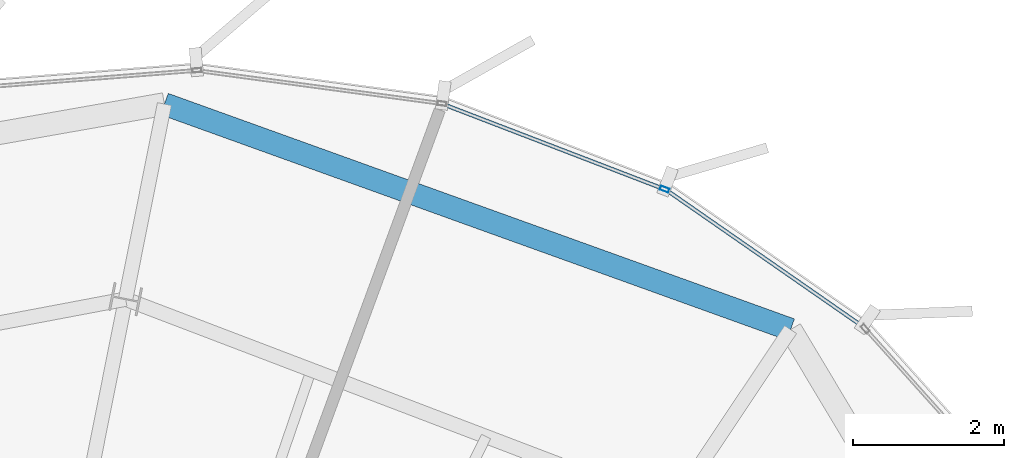
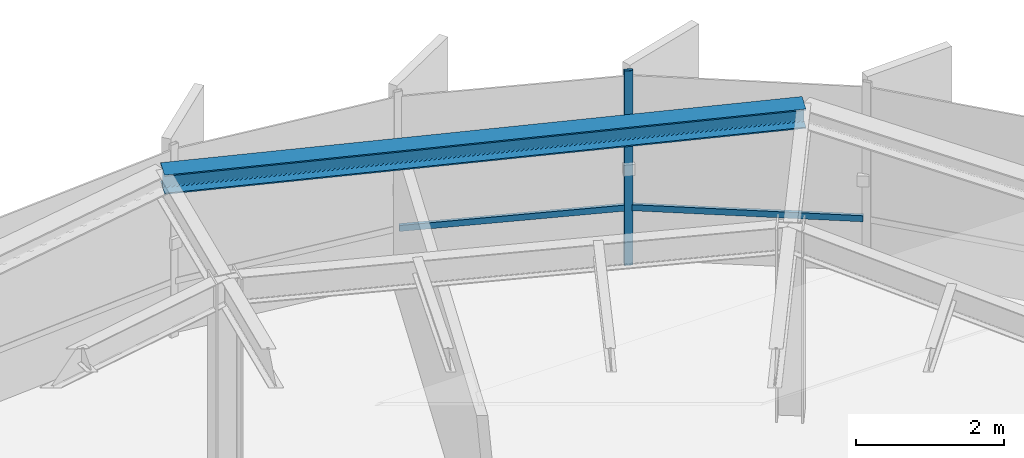
# One storey, part 22 of 31: 3 members, 1 beam, 2 elements without a shape of their own.
"""IFC4 building model written with IfcOpenShell, lengths in metres."""

from ifc_helpers import new_model, si_unit, direction, frame, origin, origin_2d, place, context, subcontext, project, spatial, hollow_rectangle, i_section, extrude, source, transform, mapped, material, layer, layer_set, material_profile, profile_set, type_object, element, aggregate, save


model = new_model("IFC4")

# Units and contexts
model_context = context("Model", 3, precision=1e-05, world=origin(), true_north=direction((0.0, 1.0)))
body_context = subcontext(model_context, "Body", "Model", "MODEL_VIEW")
ifc_project = project(units=[si_unit("LENGTHUNIT", "METRE"), si_unit("AREAUNIT", "SQUARE_METRE"), si_unit("VOLUMEUNIT", "CUBIC_METRE"), si_unit("PLANEANGLEUNIT", "RADIAN"), si_unit("MASSUNIT", "GRAM", prefix="KILO"), si_unit("THERMODYNAMICTEMPERATUREUNIT", "KELVIN")], contexts=[model_context])

# Site, building, storey
site_placement = place(None, origin())
site = spatial("IfcSite", under=ifc_project, at=site_placement, CompositionType="ELEMENT")
building_placement = place(site_placement, origin())
building = spatial("IfcBuilding", under=site, at=building_placement, Name="Kethvar Cultural Tower", CompositionType="ELEMENT")
storey_placement = place(building_placement, frame((0.0, 0.0, 283.60009765625)))
storey = spatial("IfcBuildingStorey", under=building, at=storey_placement, Name="L75", CompositionType="ELEMENT", Elevation=283.60009765625)

# Beam
ifc_material_1 = material(Name="Steel S355J2", Category="steel")
ifc_material_profile_1 = material_profile(ifc_material_1, i_section(OverallWidth=0.300048828125, OverallDepth=0.320068359375, WebThickness=0.011474609375, FlangeThickness=0.0205078125, FilletRadius=0.027099609375, at=origin_2d()), Name="Steel S355J2 — HEB320")
ifc_profile_set_1 = profile_set([ifc_material_profile_1], Name="Steel S355J2 — HEB320")
beam_type = type_object("IfcBeamType", Name="BM-SP320", PredefinedType="SPANDREL", material=ifc_profile_set_1)
shared_shape_1 = source(origin(), body_context, "Body", "SweptSolid", [
    extrude(i_section(OverallWidth=0.300048828125, OverallDepth=0.320068359375, WebThickness=0.011474609375, FlangeThickness=0.0205078125, FilletRadius=0.027099609375, at=origin_2d()), origin(), (0.0, 0.0, 1.0), 8.81005859375),
])
beam_placement = place(storey_placement, frame((59.447998046875, 46.72900390625, 3.0478515625), z_axis=(-0.940858440957, 0.338799932232, 0.0), x_axis=(-0.338799932232, -0.940858440957, 0.0)))
element("IfcBeam", 1, at=beam_placement, inside=storey, type_object=beam_type, Name="L75 Perimeter Spandrel Beam SP-03", PredefinedType="SPANDREL", context=body_context, shape_type="MappedRepresentation", body=[
    mapped(shared_shape_1, transform((0.0, 0.0, 0.0), scale=1.0)),
])

# Curtain wall, members
ifc_material_2 = material(Name="Aluminium 6063-T6", Category="aluminium")
ifc_layer = layer(ifc_material_2, 0.179931640625, Name="Aluminium 6063-T6", Category="aluminium")
ifc_layer_set = layer_set([ifc_layer], Name="Aluminium 6063-T6 (180 mm)")
curtain_wall_type = type_object("IfcCurtainWallType", Name="CW-SYS-05-Z56", PredefinedType="NOTDEFINED", material=ifc_layer_set)
curtain_wall_1_placement = place(storey_placement, origin())
curtain_wall_1 = element("IfcCurtainWall", 2, at=curtain_wall_1_placement, inside=storey, type_object=curtain_wall_type, Name="L75 Curtain Wall Run 01", PredefinedType="NOTDEFINED")
ifc_material_profile_2 = material_profile(ifc_material_2, hollow_rectangle(XDim=0.054931640625, YDim=0.1201171875, WallThickness=0.00390625, at=origin_2d()), Name="Aluminium 6063-T6 — RHS120x55x4")
ifc_profile_set_2 = profile_set([ifc_material_profile_2], Name="Aluminium 6063-T6 — RHS120x55x4")
member_type_1 = type_object("IfcMemberType", Name="CW-SYS-05-Z56-MUL", PredefinedType="MULLION", material=ifc_profile_set_2)
shared_shape_2 = source(origin(), body_context, "Body", "SweptSolid", [
    extrude(hollow_rectangle(XDim=0.054931640625, YDim=0.1201171875, WallThickness=0.00390625, at=origin_2d()), origin(), (0.0, 0.0, 1.0), 3.2099609375),
])
member_1_placement = place(storey_placement, frame((57.779052734375, 48.5859375, 0.0), z_axis=(0.0, 0.0, 1.0), x_axis=(-0.358530884609, -0.933517865272, 0.0)))
member_1 = element("IfcMember", 3, at=member_1_placement, type_object=member_type_1, Name="CW-L75-R01 Mullion 1", PredefinedType="MULLION", context=body_context, shape_type="MappedRepresentation", body=[
    mapped(shared_shape_2, transform((0.0, 0.0, 0.0), scale=1.0)),
])
ifc_material_profile_3 = material_profile(ifc_material_2, hollow_rectangle(XDim=0.050048828125, YDim=0.10009765625, WallThickness=0.00390625, at=origin_2d()), Name="Aluminium 6063-T6 — RHS100x50x4")
ifc_profile_set_3 = profile_set([ifc_material_profile_3], Name="Aluminium 6063-T6 — RHS100x50x4")
member_type_2 = type_object("IfcMemberType", Name="CW-SYS-05-Z56-TRN", PredefinedType="USERDEFINED", material=ifc_profile_set_3)
shared_shape_3 = source(origin(), body_context, "Body", "SweptSolid", [
    extrude(hollow_rectangle(XDim=0.050048828125, YDim=0.10009765625, WallThickness=0.00390625, at=origin_2d()), origin(), (0.0, 0.0, 1.0), 3.13427734375),
])
member_2_placement = place(storey_placement, frame((57.775390625, 48.58740234375, 0.949951171875), z_axis=(-0.933508128804, 0.35855623472, 0.0), x_axis=(-0.35855623472, -0.933508128804, 0.0)))
member_2 = element("IfcMember", 4, at=member_2_placement, type_object=member_type_2, Name="CW-L75-R01 Transom 1", ObjectType="TRANSOM", PredefinedType="USERDEFINED", context=body_context, shape_type="MappedRepresentation", body=[
    mapped(shared_shape_3, transform((0.0, 0.0, 0.0), scale=1.0)),
])
aggregate(curtain_wall_1, [member_1, member_2])

# Curtain wall, member
curtain_wall_2_placement = place(storey_placement, origin())
curtain_wall_2 = element("IfcCurtainWall", 5, at=curtain_wall_2_placement, inside=storey, type_object=curtain_wall_type, Name="L75 Curtain Wall Run 07", PredefinedType="NOTDEFINED")
member_3_placement = place(storey_placement, frame((60.397705078125, 46.7734375, 0.949951171875), z_axis=(-0.821243229756, 0.570578265955, 0.0), x_axis=(-0.570578265955, -0.821243229756, 0.0)))
member_3 = element("IfcMember", 6, at=member_3_placement, type_object=member_type_2, Name="CW-L75-R07 Transom 1", ObjectType="TRANSOM", PredefinedType="USERDEFINED", context=body_context, shape_type="MappedRepresentation", body=[
    mapped(shared_shape_3, transform((0.0, 0.0, 0.0), scale=1.0)),
])
aggregate(curtain_wall_2, [member_3])

save(model, "model.ifc")
